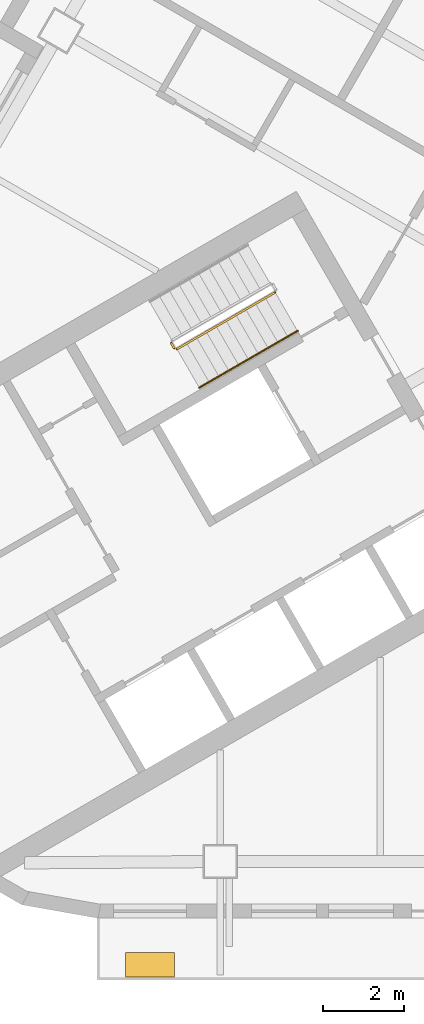
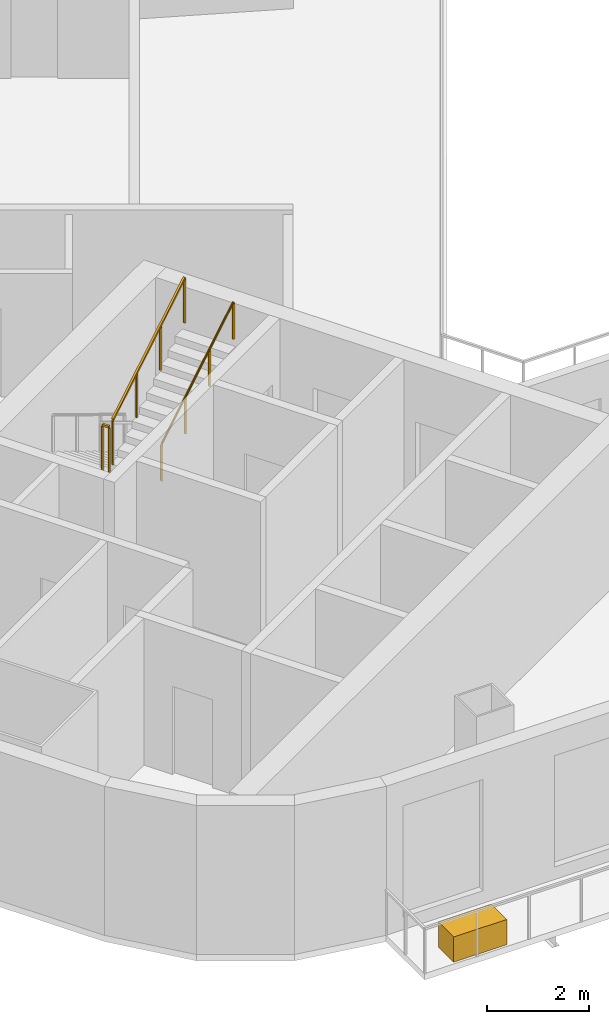
# One storey, part 8 of 13: 3 railings, 1 covering.
"""IFC4 building model written with IfcOpenShell, lengths in metres."""

from ifc_helpers import new_model, si_unit, direction, frame, origin, origin_2d, place, context, subcontext, project, spatial, rectangle, circle, extrude, material, type_object, element, save


model = new_model("IFC4")

# Units and contexts
model_context = context("Model", 3, precision=1e-05, world=origin(), true_north=direction((0.0, 1.0)))
body_context = subcontext(model_context, "Body", "Model", "MODEL_VIEW")
ifc_project = project(units=[si_unit("LENGTHUNIT", "METRE"), si_unit("AREAUNIT", "SQUARE_METRE"), si_unit("VOLUMEUNIT", "CUBIC_METRE"), si_unit("PLANEANGLEUNIT", "RADIAN"), si_unit("MASSUNIT", "GRAM", prefix="KILO")], contexts=[model_context])

# Site, building, storey
site_placement = place(None, origin())
site = spatial("IfcSite", under=ifc_project, at=site_placement, CompositionType="ELEMENT")
building_placement = place(site_placement, origin())
building = spatial("IfcBuilding", under=site, at=building_placement, Name="Apuvela Tower Hotel", CompositionType="ELEMENT")
storey_placement = place(building_placement, frame((0.0, 0.0, 165.10009765625)))
storey = spatial("IfcBuildingStorey", under=building, at=storey_placement, Name="L39", CompositionType="ELEMENT", Elevation=165.10009765625)

# Railings
ifc_material_1 = material(Name="Steel S275 balustrade", Category="steel")
railing_type_1 = type_object("IfcRailingType", Name="COR-GUARD-1100", PredefinedType="GUARDRAIL", material=ifc_material_1)
railing_1_placement = place(storey_placement, frame((-17.01220703125, -5.43408203125, 1.849853515625)))
element("IfcRailing", 1, at=railing_1_placement, inside=storey, type_object=railing_type_1, Name="L39 ST2 stair guard 2", PredefinedType="GUARDRAIL", context=body_context, shape_type="SweptSolid", body=[
    extrude(rectangle(XDim=0.048095703125, YDim=0.048095703125, at=origin_2d()), frame((0.0, 0.0, 1.076171875), z_axis=(0.499816412211, -0.866131372301, 0.0), x_axis=(0.866131372301, 0.499816412211, 0.0)), (0.0, 0.0, 1.0), 0.14990234375),
    extrude(rectangle(XDim=0.0419921875, YDim=0.0419921875, at=origin_2d()), origin(), (0.0, 0.0, 1.0), 1.052001953125),
    extrude(rectangle(XDim=0.0419921875, YDim=0.0419921875, at=origin_2d()), frame((0.074951171875, -0.1298828125, 0.0)), (0.0, 0.0, 1.0), 1.052001953125),
])
railing_2_placement = place(storey_placement, frame((-16.868896484375, -5.582275390625, 2.01806640625)))
element("IfcRailing", 2, at=railing_2_placement, inside=storey, type_object=railing_type_1, Name="L39 ST2 stair guard 3", PredefinedType="GUARDRAIL", context=body_context, shape_type="SweptSolid", body=[
    extrude(rectangle(XDim=0.048095703125, YDim=0.048095703125, at=origin_2d()), frame((0.0, 0.0, 1.076171875), z_axis=(0.742390482028, 0.42860119049, 0.514934356695), x_axis=(-0.49998411664, 0.866034573852, 0.0)), (0.0, 0.0, 1.0), 3.26611328125),
    extrude(rectangle(XDim=0.0419921875, YDim=0.0419921875, at=origin_2d()), origin(), (0.0, 0.0, 1.0), 1.052001953125),
    extrude(rectangle(XDim=0.0419921875, YDim=0.0419921875, at=origin_2d()), frame((0.808349609375, 0.466552734375, 0.560546875)), (0.0, 0.0, 1.0), 1.052001953125),
    extrude(rectangle(XDim=0.0419921875, YDim=0.0419921875, at=origin_2d()), frame((1.616455078125, 0.933349609375, 1.121337890625)), (0.0, 0.0, 1.0), 1.052001953125),
    extrude(rectangle(XDim=0.0419921875, YDim=0.0419921875, at=origin_2d()), frame((2.4248046875, 1.39990234375, 1.681884765625)), (0.0, 0.0, 1.0), 1.052001953125),
])
ifc_material_2 = material(Name="Stainless steel 316 handrail", Category="steel")
railing_type_2 = type_object("IfcRailingType", Name="COR-HANDRAIL-900", PredefinedType="HANDRAIL", material=ifc_material_2)
railing_3_placement = place(storey_placement, frame((-16.31884765625, -6.534912109375, 2.01806640625)))
element("IfcRailing", 3, at=railing_3_placement, inside=storey, type_object=railing_type_2, Name="L39 ST2 stair handrail 2", PredefinedType="HANDRAIL", context=body_context, shape_type="SweptSolid", body=[
    extrude(circle(Radius=0.02392578125, at=origin_2d()), frame((0.0, 0.0, 0.8759765625), z_axis=(0.742390482028, 0.42860119049, 0.514934356695), x_axis=(-0.49998411664, 0.866034573852, 0.0)), (0.0, 0.0, 1.0), 3.26611328125),
    extrude(rectangle(XDim=0.0419921875, YDim=0.0419921875, at=origin_2d()), origin(), (0.0, 0.0, 1.0), 0.851806640625),
    extrude(rectangle(XDim=0.0419921875, YDim=0.0419921875, at=origin_2d()), frame((0.808349609375, 0.466552734375, 0.560546875)), (0.0, 0.0, 1.0), 0.851806640625),
    extrude(rectangle(XDim=0.0419921875, YDim=0.0419921875, at=origin_2d()), frame((1.616455078125, 0.933349609375, 1.121337890625)), (0.0, 0.0, 1.0), 0.851806640625),
    extrude(rectangle(XDim=0.0419921875, YDim=0.0419921875, at=origin_2d()), frame((2.4248046875, 1.39990234375, 1.681884765625)), (0.0, 0.0, 1.0), 0.851806640625),
])

# Covering
ifc_material_3 = material(Name="Planting substrate and soil, planted")
covering_type = type_object("IfcCoveringType", Name="ENV-PLANTER-1200x600", PredefinedType="USERDEFINED", material=ifc_material_3)
covering_placement = place(storey_placement, frame((-17.53515625, -20.780029296875, -0.000244140625), z_axis=(0.0, 0.0, 1.0), x_axis=(1.0, 0.0, 0.0)))
element("IfcCovering", 4, at=covering_placement, inside=storey, type_object=covering_type, Name="Planter S1", ObjectType="PLANTER", PredefinedType="USERDEFINED", context=body_context, shape_type="SweptSolid", body=[
    extrude(rectangle(XDim=1.199951171875, YDim=0.60009765625, at=origin_2d()), origin(), (0.0, 0.0, 1.0), 0.60009765625),
])

save(model, "model.ifc")
